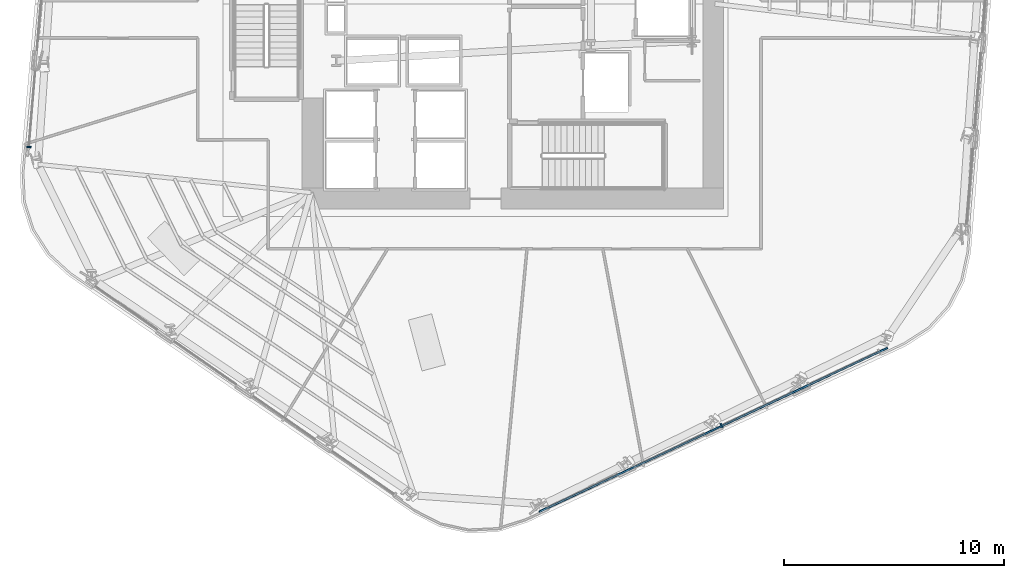
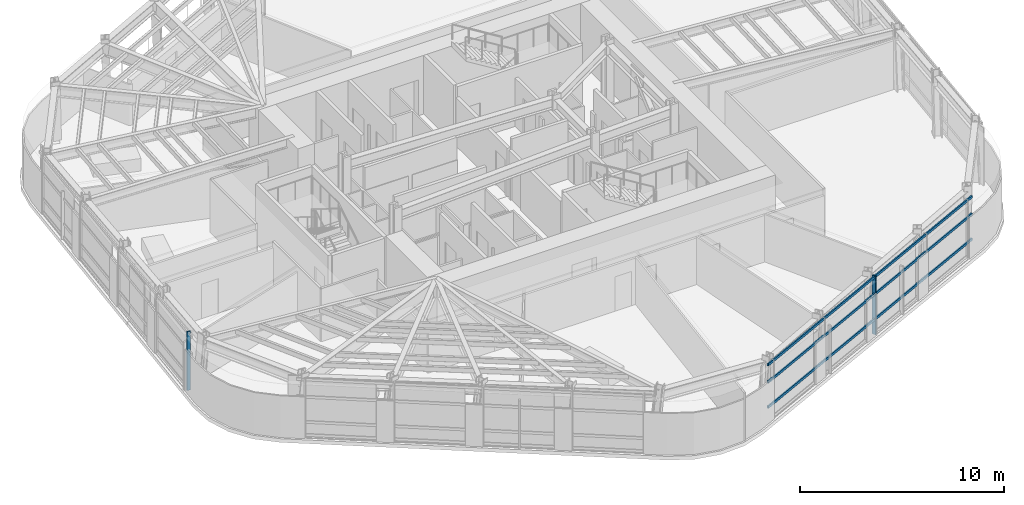
# One storey, part 3 of 19: 5 members, 2 elements without a shape of their own.
"""IFC4 building model written with IfcOpenShell, lengths in metres."""

from ifc_helpers import new_model, si_unit, direction, frame, origin, origin_2d, place, context, subcontext, project, spatial, rectangle, extrude, material, layer, layer_set, material_profile, profile_set, type_object, element, aggregate, save


model = new_model("IFC4")

# Units and contexts
model_context = context("Model", 3, precision=1e-05, world=origin(), true_north=direction((0.0, 1.0)))
body_context = subcontext(model_context, "Body", "Model", "MODEL_VIEW")
ifc_project = project(units=[si_unit("LENGTHUNIT", "METRE"), si_unit("AREAUNIT", "SQUARE_METRE"), si_unit("VOLUMEUNIT", "CUBIC_METRE"), si_unit("PLANEANGLEUNIT", "RADIAN"), si_unit("MASSUNIT", "GRAM", prefix="KILO")], contexts=[model_context])

# Site, building, storey
site_placement = place(None, origin())
site = spatial("IfcSite", under=ifc_project, at=site_placement, CompositionType="ELEMENT")
building_placement = place(site_placement, origin())
building = spatial("IfcBuilding", under=site, at=building_placement, Name="Valkerne Bourse Tower", CompositionType="ELEMENT")
storey_placement = place(building_placement, frame((0.0, 0.0, 131.39990234375)))
storey = spatial("IfcBuildingStorey", under=building, at=storey_placement, Name="L33", CompositionType="ELEMENT", Elevation=131.39990234375)

# Curtain wall, member
ifc_material = material(Name="Aluminium AA 6063-T6", Category="aluminium")
ifc_layer = layer(ifc_material, 0.22998046875)
ifc_layer_set = layer_set([ifc_layer], Name="Aluminium AA 6063-T6")
curtain_wall_type = type_object("IfcCurtainWallType", Name="CW-02", PredefinedType="NOTDEFINED", material=ifc_layer_set)
curtain_wall_1_placement = place(storey_placement, origin())
curtain_wall_1 = element("IfcCurtainWall", 1, at=curtain_wall_1_placement, inside=storey, type_object=curtain_wall_type, Name="L33 Hexagonal Stick Curtain Wall Face 3", PredefinedType="NOTDEFINED")
ifc_material_profile_1 = material_profile(ifc_material, rectangle(XDim=0.074951171875, YDim=0.199951171875, at=origin_2d()), Name="CWM-75X200")
ifc_profile_set_1 = profile_set([ifc_material_profile_1], Name="Aluminium AA 6063-T6")
member_type_1 = type_object("IfcMemberType", Name="CW-MUL-220X75", PredefinedType="MULLION", material=ifc_profile_set_1)
member_1_placement = place(storey_placement, frame((24.7490234375, 20.476318359375, 0.0), z_axis=(0.0, 0.0, 1.0), x_axis=(-0.083687445044, -0.996492052925, 0.0)))
member_1 = element("IfcMember", 2, at=member_1_placement, type_object=member_type_1, Name="CW-L33-F3 Jamb Mullion 03B", PredefinedType="MULLION", context=body_context, shape_type="SweptSolid", body=[
    extrude(rectangle(XDim=0.074951171875, YDim=0.199951171875, at=origin_2d()), origin(), (0.0, 0.0, 1.0), 3.52001953125),
])
aggregate(curtain_wall_1, [member_1])

# Curtain wall, members
curtain_wall_2_placement = place(storey_placement, origin())
curtain_wall_2 = element("IfcCurtainWall", 3, at=curtain_wall_2_placement, inside=storey, type_object=curtain_wall_type, Name="L33 Hexagonal Stick Curtain Wall Face 5", PredefinedType="NOTDEFINED")
member_2_placement = place(storey_placement, frame((56.303466796875, 7.79052734375, 0.0), z_axis=(0.0, 0.0, 1.0), x_axis=(0.904828009037, 0.425777258743, 0.0)))
member_2 = element("IfcMember", 4, at=member_2_placement, type_object=member_type_1, Name="CW-L33-F5 Jamb Mullion 02A", PredefinedType="MULLION", context=body_context, shape_type="SweptSolid", body=[
    extrude(rectangle(XDim=0.074951171875, YDim=0.199951171875, at=origin_2d()), origin(), (0.0, 0.0, 1.0), 3.52001953125),
])
ifc_material_profile_2 = material_profile(ifc_material, rectangle(XDim=0.074951171875, YDim=0.14990234375, at=origin_2d()), Name="CWT-75X150")
ifc_profile_set_2 = profile_set([ifc_material_profile_2], Name="Aluminium AA 6063-T6")
member_type_2 = type_object("IfcMemberType", Name="CW-TRN-180X65", PredefinedType="USERDEFINED", material=ifc_profile_set_2)
member_3_placement = place(storey_placement, frame((48.000244140625, 3.861083984375, 0.900146484375), z_axis=(0.904826276176, 0.425780941262, 0.0), x_axis=(-0.425780941262, 0.904826276176, 0.0)))
member_3 = element("IfcMember", 5, at=member_3_placement, type_object=member_type_2, Name="CW-L33-F5 Continuous Face Transom 2", ObjectType="TRANSOM", PredefinedType="USERDEFINED", context=body_context, shape_type="SweptSolid", body=[
    extrude(rectangle(XDim=0.074951171875, YDim=0.14990234375, at=origin_2d()), origin(), (0.0, 0.0, 1.0), 17.5322265625),
])
member_4_placement = place(storey_placement, frame((48.000244140625, 3.861083984375, 2.400146484375), z_axis=(0.904826276176, 0.425780941262, 0.0), x_axis=(-0.425780941262, 0.904826276176, 0.0)))
member_4 = element("IfcMember", 6, at=member_4_placement, type_object=member_type_2, Name="CW-L33-F5 Continuous Face Transom 3", ObjectType="TRANSOM", PredefinedType="USERDEFINED", context=body_context, shape_type="SweptSolid", body=[
    extrude(rectangle(XDim=0.074951171875, YDim=0.14990234375, at=origin_2d()), origin(), (0.0, 0.0, 1.0), 17.5322265625),
])
member_5_placement = place(storey_placement, frame((48.000244140625, 3.861083984375, 3.440185546875), z_axis=(0.904826276176, 0.425780941262, 0.0), x_axis=(-0.425780941262, 0.904826276176, 0.0)))
member_5 = element("IfcMember", 7, at=member_5_placement, type_object=member_type_2, Name="CW-L33-F5 Continuous Face Transom 4", ObjectType="TRANSOM", PredefinedType="USERDEFINED", context=body_context, shape_type="SweptSolid", body=[
    extrude(rectangle(XDim=0.074951171875, YDim=0.14990234375, at=origin_2d()), origin(), (0.0, 0.0, 1.0), 17.5322265625),
])
aggregate(curtain_wall_2, [member_3, member_4, member_5, member_2])

save(model, "model.ifc")
